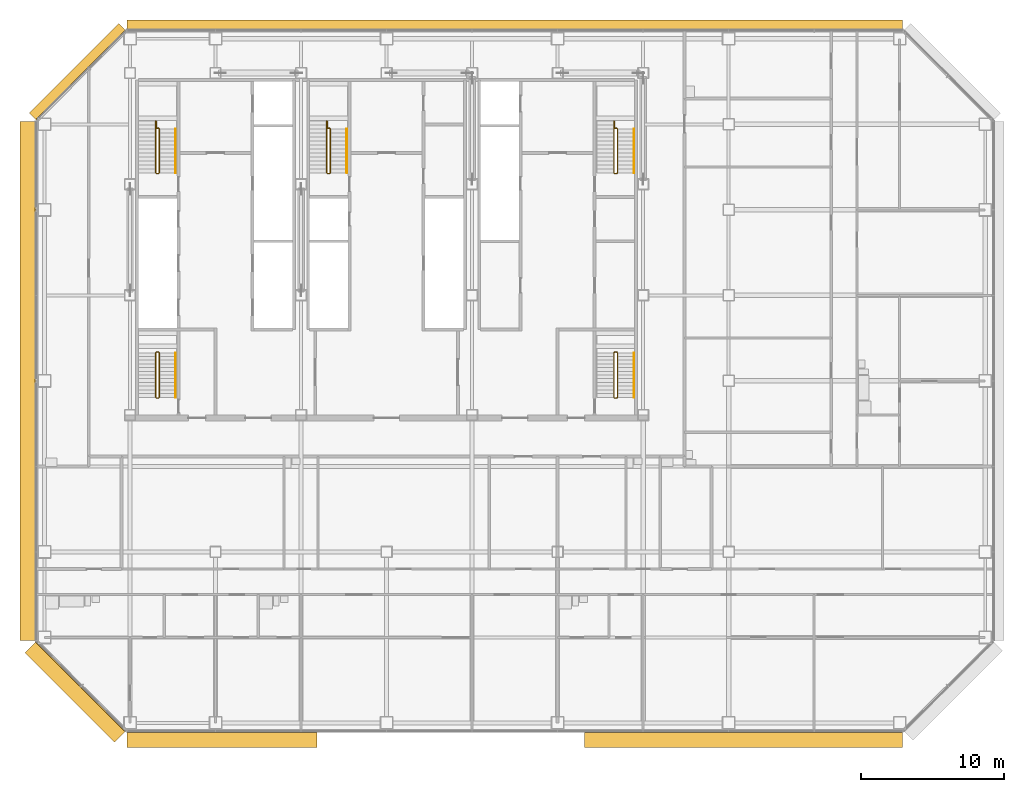
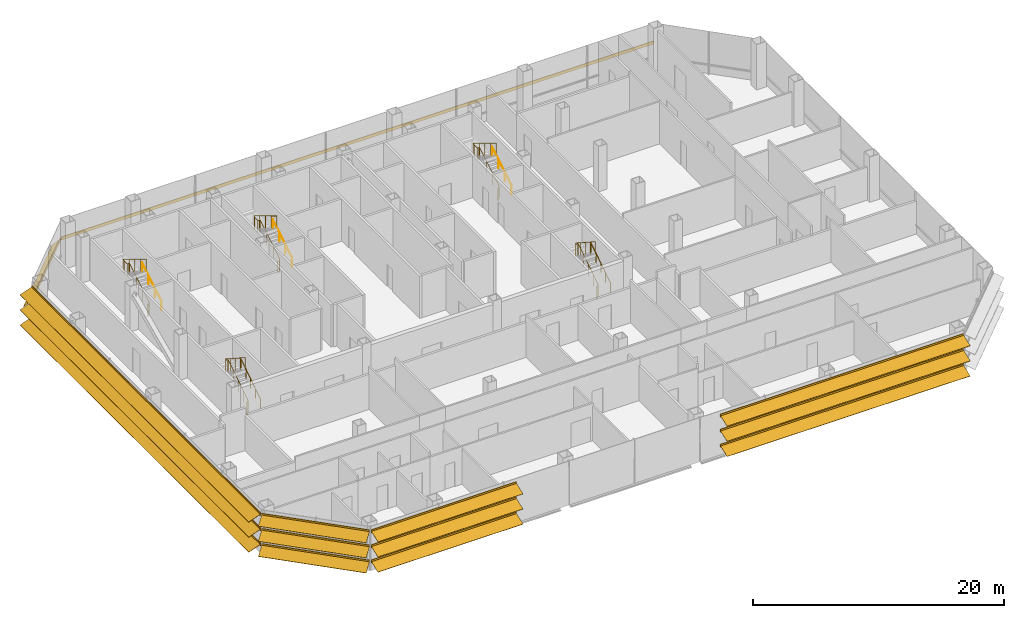
# One storey, part 25 of 27: 10 railings, 6 shading devices.
"""IFC4 building model written with IfcOpenShell, lengths in metres."""

from ifc_helpers import new_model, si_unit, direction, frame, origin, origin_2d, place, context, subcontext, project, spatial, polyline, circle, outline, composite_profile, extrude, material, type_object, element, save


model = new_model("IFC4")

# Units and contexts
model_context = context("Model", 3, precision=1e-05, world=origin(), true_north=direction((0.0, 1.0)))
body_context = subcontext(model_context, "Body", "Model", "MODEL_VIEW")
ifc_project = project(units=[si_unit("LENGTHUNIT", "METRE"), si_unit("AREAUNIT", "SQUARE_METRE"), si_unit("VOLUMEUNIT", "CUBIC_METRE"), si_unit("PLANEANGLEUNIT", "RADIAN"), si_unit("MASSUNIT", "GRAM", prefix="KILO")], contexts=[model_context])

# Site, building, storey
site_placement = place(None, origin())
site = spatial("IfcSite", under=ifc_project, at=site_placement, CompositionType="ELEMENT")
building_placement = place(site_placement, origin())
building = spatial("IfcBuilding", under=site, at=building_placement, Name="Sorahane Residences", CompositionType="ELEMENT")
storey_placement = place(building_placement, frame((0.0, 0.0, 85.800048828125)))
storey = spatial("IfcBuildingStorey", under=building, at=storey_placement, Name="L18", CompositionType="ELEMENT", Elevation=85.800048828125)

# Shading devices
ifc_material_1 = material(Name="Terracotta anodised aluminium", Category="masonry")
shading_device_type_1 = type_object("IfcShadingDeviceType", Name="Louvre sunshade blade N terracotta aluminium 700", PredefinedType="JALOUSIE", material=ifc_material_1)
shading_device_1_placement = place(storey_placement, frame((60.198486328125, 48.60009765625, 2.199951171875), z_axis=(-1.0, 0.0, 0.0), x_axis=(0.0, -1.0, 0.0)))
element("IfcShadingDevice", 1, at=shading_device_1_placement, inside=storey, type_object=shading_device_type_1, Name="Louvre sunshade blade bank N L18 N1", PredefinedType="JALOUSIE", context=body_context, shape_type="SweptSolid", body=[
    extrude(outline(polyline([(-0.719970703125, -0.660888671875), (-0.719970703125, -0.69091796875), (-0.080078125, -0.072998046875), (-0.080078125, -0.14990234375), (-0.02001953125, -0.14990234375), (-0.02001953125, -0.014892578125), (-0.02001953125, 0.014892578125), (-0.02001953125, 0.14990234375), (-0.080078125, 0.14990234375), (-0.080078125, -0.04296875), (-0.719970703125, -0.660888671875)])), origin(), (0.0, 0.0, 1.0), 54.39697265625),
])
ifc_material_2 = material(Name="Terracotta anodised aluminium", Category="masonry")
shading_device_type_2 = type_object("IfcShadingDeviceType", Name="Louvre sunshade blade NW terracotta aluminium 700", PredefinedType="JALOUSIE", material=ifc_material_2)
shading_device_2_placement = place(storey_placement, frame((5.716064453125, 48.564697265625, 2.199951171875), z_axis=(-0.707106781187, -0.707106781187, 0.0), x_axis=(0.707106781187, -0.707106781187, 0.0)))
element("IfcShadingDevice", 2, at=shading_device_2_placement, inside=storey, type_object=shading_device_type_2, Name="Louvre sunshade blade bank NW L18 NW1", PredefinedType="JALOUSIE", context=body_context, shape_type="SweptSolid", body=[
    extrude(outline(polyline([(-0.719970703125, -0.660888671875), (-0.719970703125, -0.69091796875), (-0.080078125, -0.072998046875), (-0.080078125, -0.14990234375), (-0.02001953125, -0.14990234375), (-0.02001953125, -0.014892578125), (-0.02001953125, 0.014892578125), (-0.02001953125, 0.14990234375), (-0.080078125, 0.14990234375), (-0.080078125, -0.04296875), (-0.719970703125, -0.660888671875)])), origin(), (0.0, 0.0, 1.0), 8.88232421875),
])
ifc_material_3 = material(Name="Terracotta anodised aluminium", Category="masonry")
shading_device_type_3 = type_object("IfcShadingDeviceType", Name="Louvre sunshade blade S terracotta aluminium 1100", PredefinedType="JALOUSIE", material=ifc_material_3)
shading_device_3_placement = place(storey_placement, frame((5.801513671875, -0.60009765625, 0.7333984375), z_axis=(1.0, 0.0, 0.0), x_axis=(0.0, 1.0, 0.0)))
element("IfcShadingDevice", 3, at=shading_device_3_placement, inside=storey, type_object=shading_device_type_3, Name="Louvre sunshade blade bank S L18 S1", PredefinedType="JALOUSIE", context=body_context, shape_type="SweptSolid", body=[
    extrude(composite_profile([outline(polyline([(-1.1201171875, -0.385498046875), (-1.1201171875, -0.415283203125), (-0.080078125, -0.036865234375), (-0.080078125, -0.14990234375), (-0.02001953125, -0.14990234375), (-0.02001953125, -0.014892578125), (-0.02001953125, 0.014892578125), (-0.02001953125, 0.14990234375), (-0.080078125, 0.14990234375), (-0.080078125, -0.0068359375), (-1.1201171875, -0.385498046875)])), outline(polyline([(-1.1201171875, 1.081298828125), (-1.1201171875, 1.05126953125), (-0.080078125, 1.429931640625), (-0.080078125, 1.316650390625), (-0.02001953125, 1.316650390625), (-0.02001953125, 1.45166015625), (-0.02001953125, 1.481689453125), (-0.02001953125, 1.61669921875), (-0.080078125, 1.61669921875), (-0.080078125, 1.4599609375), (-1.1201171875, 1.081298828125)])), outline(polyline([(-1.1201171875, 2.5478515625), (-1.1201171875, 2.517822265625), (-0.080078125, 2.896484375), (-0.080078125, 2.783203125), (-0.02001953125, 2.783203125), (-0.02001953125, 2.918212890625), (-0.02001953125, 2.9482421875), (-0.02001953125, 3.083251953125), (-0.080078125, 3.083251953125), (-0.080078125, 2.926513671875), (-1.1201171875, 2.5478515625)]))]), origin(), (0.0, 0.0, 1.0), 13.3291015625),
])
shading_device_4_placement = place(storey_placement, frame((37.869384765625, -0.60009765625, 0.7333984375), z_axis=(1.0, 0.0, 0.0), x_axis=(0.0, 1.0, 0.0)))
element("IfcShadingDevice", 4, at=shading_device_4_placement, inside=storey, type_object=shading_device_type_3, Name="Louvre sunshade blade bank S L18 S1 part 2", PredefinedType="JALOUSIE", context=body_context, shape_type="SweptSolid", body=[
    extrude(composite_profile([outline(polyline([(-1.1201171875, -0.385498046875), (-1.1201171875, -0.415283203125), (-0.080078125, -0.036865234375), (-0.080078125, -0.14990234375), (-0.02001953125, -0.14990234375), (-0.02001953125, -0.014892578125), (-0.02001953125, 0.014892578125), (-0.02001953125, 0.14990234375), (-0.080078125, 0.14990234375), (-0.080078125, -0.0068359375), (-1.1201171875, -0.385498046875)])), outline(polyline([(-1.1201171875, 1.081298828125), (-1.1201171875, 1.05126953125), (-0.080078125, 1.429931640625), (-0.080078125, 1.316650390625), (-0.02001953125, 1.316650390625), (-0.02001953125, 1.45166015625), (-0.02001953125, 1.481689453125), (-0.02001953125, 1.61669921875), (-0.080078125, 1.61669921875), (-0.080078125, 1.4599609375), (-1.1201171875, 1.081298828125)])), outline(polyline([(-1.1201171875, 2.5478515625), (-1.1201171875, 2.517822265625), (-0.080078125, 2.896484375), (-0.080078125, 2.783203125), (-0.02001953125, 2.783203125), (-0.02001953125, 2.918212890625), (-0.02001953125, 2.9482421875), (-0.02001953125, 3.083251953125), (-0.080078125, 3.083251953125), (-0.080078125, 2.926513671875), (-1.1201171875, 2.5478515625)]))]), origin(), (0.0, 0.0, 1.0), 22.3291015625),
])
ifc_material_4 = material(Name="Terracotta anodised aluminium", Category="masonry")
shading_device_type_4 = type_object("IfcShadingDeviceType", Name="Louvre sunshade blade SW terracotta aluminium 1100", PredefinedType="JALOUSIE", material=ifc_material_4)
shading_device_5_placement = place(storey_placement, frame((-0.564697265625, 5.716064453125, 0.7333984375), z_axis=(0.707106781187, -0.707106781187, 0.0), x_axis=(0.707106781187, 0.707106781187, 0.0)))
element("IfcShadingDevice", 5, at=shading_device_5_placement, inside=storey, type_object=shading_device_type_4, Name="Louvre sunshade blade bank SW L18 SW1", PredefinedType="JALOUSIE", context=body_context, shape_type="SweptSolid", body=[
    extrude(composite_profile([outline(polyline([(-1.1201171875, -0.385498046875), (-1.1201171875, -0.415283203125), (-0.080078125, -0.036865234375), (-0.080078125, -0.14990234375), (-0.02001953125, -0.14990234375), (-0.02001953125, -0.014892578125), (-0.02001953125, 0.014892578125), (-0.02001953125, 0.14990234375), (-0.080078125, 0.14990234375), (-0.080078125, -0.0068359375), (-1.1201171875, -0.385498046875)])), outline(polyline([(-1.1201171875, 1.081298828125), (-1.1201171875, 1.05126953125), (-0.080078125, 1.429931640625), (-0.080078125, 1.316650390625), (-0.02001953125, 1.316650390625), (-0.02001953125, 1.45166015625), (-0.02001953125, 1.481689453125), (-0.02001953125, 1.61669921875), (-0.080078125, 1.61669921875), (-0.080078125, 1.4599609375), (-1.1201171875, 1.081298828125)])), outline(polyline([(-1.1201171875, 2.5478515625), (-1.1201171875, 2.517822265625), (-0.080078125, 2.896484375), (-0.080078125, 2.783203125), (-0.02001953125, 2.783203125), (-0.02001953125, 2.918212890625), (-0.02001953125, 2.9482421875), (-0.02001953125, 3.083251953125), (-0.080078125, 3.083251953125), (-0.080078125, 2.926513671875), (-1.1201171875, 2.5478515625)]))]), origin(), (0.0, 0.0, 1.0), 8.88232421875),
])
ifc_material_5 = material(Name="Terracotta anodised aluminium", Category="masonry")
shading_device_type_5 = type_object("IfcShadingDeviceType", Name="Louvre sunshade blade W terracotta aluminium 1100", PredefinedType="JALOUSIE", material=ifc_material_5)
shading_device_6_placement = place(storey_placement, frame((-0.60009765625, 42.198486328125, 0.7333984375), z_axis=(0.0, -1.0, 0.0), x_axis=(1.0, 0.0, 0.0)))
element("IfcShadingDevice", 6, at=shading_device_6_placement, inside=storey, type_object=shading_device_type_5, Name="Louvre sunshade blade bank W L18 W1", PredefinedType="JALOUSIE", context=body_context, shape_type="SweptSolid", body=[
    extrude(composite_profile([outline(polyline([(-1.1201171875, -0.385498046875), (-1.1201171875, -0.415283203125), (-0.080078125, -0.036865234375), (-0.080078125, -0.14990234375), (-0.02001953125, -0.14990234375), (-0.02001953125, -0.014892578125), (-0.02001953125, 0.014892578125), (-0.02001953125, 0.14990234375), (-0.080078125, 0.14990234375), (-0.080078125, -0.0068359375), (-1.1201171875, -0.385498046875)])), outline(polyline([(-1.1201171875, 1.081298828125), (-1.1201171875, 1.05126953125), (-0.080078125, 1.429931640625), (-0.080078125, 1.316650390625), (-0.02001953125, 1.316650390625), (-0.02001953125, 1.45166015625), (-0.02001953125, 1.481689453125), (-0.02001953125, 1.61669921875), (-0.080078125, 1.61669921875), (-0.080078125, 1.4599609375), (-1.1201171875, 1.081298828125)])), outline(polyline([(-1.1201171875, 2.5478515625), (-1.1201171875, 2.517822265625), (-0.080078125, 2.896484375), (-0.080078125, 2.783203125), (-0.02001953125, 2.783203125), (-0.02001953125, 2.918212890625), (-0.02001953125, 2.9482421875), (-0.02001953125, 3.083251953125), (-0.080078125, 3.083251953125), (-0.080078125, 2.926513671875), (-1.1201171875, 2.5478515625)]))]), origin(), (0.0, 0.0, 1.0), 36.39697265625),
])

# Railings
ifc_material_6 = material(Name="Steel Q355B", Category="steel")
railing_type_1 = type_object("IfcRailingType", Name="Stair guard 1200 Steel Q355B", PredefinedType="GUARDRAIL", material=ifc_material_6)
railing_1_placement = place(storey_placement, frame((7.85009765625, 38.550048828125, 0.0)))
element("IfcRailing", 7, at=railing_1_placement, inside=storey, type_object=railing_type_1, Name="L18 S1 stair guard 1", PredefinedType="GUARDRAIL", context=body_context, shape_type="SweptSolid", body=[
    extrude(circle(Radius=0.02392578125, at=origin_2d()), frame((0.0, 0.0, 1.17578125), z_axis=(1.0, 0.0, 0.0), x_axis=(0.0, 1.0, 0.0)), (0.0, 0.0, 1.0), 0.14990234375),
    extrude(circle(Radius=0.02392578125, at=origin_2d()), frame((0.14990234375, 0.0, 1.17578125), z_axis=(0.272897288611, 0.272897288611, 0.922525956132), x_axis=(-0.707106781187, 0.707106781187, 0.0)), (0.0, 0.0, 1.0), 0.183349609375),
    extrude(circle(Radius=0.02392578125, at=origin_2d()), frame((0.199951171875, 0.050048828125, 1.34521484375), z_axis=(0.0, 0.855812307579, 0.51728647208), x_axis=(-1.0, 0.0, 0.0)), (0.0, 0.0, 1.0), 3.5986328125),
    extrude(circle(Radius=0.02392578125, at=origin_2d()), frame((0.199951171875, 3.1298828125, 3.20654296875), z_axis=(-0.707106781187, 0.707106781187, 0.0), x_axis=(-0.707106781187, -0.707106781187, 0.0)), (0.0, 0.0, 1.0), 0.07080078125),
    extrude(circle(Radius=0.02392578125, at=origin_2d()), frame((0.14990234375, 3.179931640625, 3.20654296875), z_axis=(-1.0, 0.0, 0.0), x_axis=(0.0, -1.0, 0.0)), (0.0, 0.0, 1.0), 0.14990234375),
    extrude(circle(Radius=0.02392578125, at=origin_2d()), frame((0.0, 3.179931640625, 3.20654296875), z_axis=(0.0, 1.0, 0.0), x_axis=(-1.0, 0.0, 0.0)), (0.0, 0.0, 1.0), 0.4599609375),
    extrude(circle(Radius=0.02392578125, at=origin_2d()), frame((0.0, 3.639892578125, 3.20654296875), z_axis=(-0.272897288611, 0.272897288611, 0.922525956132), x_axis=(-0.707106781187, -0.707106781187, 0.0)), (0.0, 0.0, 1.0), 0.183349609375),
    extrude(circle(Radius=0.02392578125, at=origin_2d()), frame((-0.050048828125, 3.68994140625, 3.3759765625), z_axis=(0.0, -0.855827133697, 0.517261942568), x_axis=(1.0, 0.0, 0.0)), (0.0, 0.0, 1.0), 4.253173828125),
    extrude(circle(Radius=0.02099609375, at=origin_2d()), origin(), (0.0, 0.0, 1.0), 1.15185546875),
    extrude(circle(Radius=0.02099609375, at=origin_2d()), frame((0.14990234375, 0.0, 0.0)), (0.0, 0.0, 1.0), 1.15185546875),
    extrude(circle(Radius=0.02099609375, at=origin_2d()), frame((0.199951171875, 0.050048828125, 0.169189453125)), (0.0, 0.0, 1.0), 1.15185546875),
    extrude(circle(Radius=0.02099609375, at=origin_2d()), frame((0.199951171875, 1.07666015625, 0.789794921875)), (0.0, 0.0, 1.0), 1.15185546875),
    extrude(circle(Radius=0.02099609375, at=origin_2d()), frame((0.199951171875, 2.103271484375, 1.41015625)), (0.0, 0.0, 1.0), 1.15185546875),
    extrude(circle(Radius=0.02099609375, at=origin_2d()), frame((0.199951171875, 3.1298828125, 2.03076171875)), (0.0, 0.0, 1.0), 1.15185546875),
    extrude(circle(Radius=0.02099609375, at=origin_2d()), frame((0.14990234375, 3.179931640625, 2.03076171875)), (0.0, 0.0, 1.0), 1.15185546875),
    extrude(circle(Radius=0.02099609375, at=origin_2d()), frame((0.0, 3.179931640625, 2.03076171875)), (0.0, 0.0, 1.0), 1.15185546875),
    extrude(circle(Radius=0.02099609375, at=origin_2d()), frame((0.0, 3.639892578125, 2.03076171875)), (0.0, 0.0, 1.0), 1.15185546875),
    extrude(circle(Radius=0.02099609375, at=origin_2d()), frame((-0.050048828125, 3.68994140625, 2.199951171875)), (0.0, 0.0, 1.0), 1.15185546875),
    extrude(circle(Radius=0.02099609375, at=origin_2d()), frame((-0.050048828125, 2.780029296875, 2.75)), (0.0, 0.0, 1.0), 1.15185546875),
    extrude(circle(Radius=0.02099609375, at=origin_2d()), frame((-0.050048828125, 1.8701171875, 3.2998046875)), (0.0, 0.0, 1.0), 1.15185546875),
    extrude(circle(Radius=0.02099609375, at=origin_2d()), frame((-0.050048828125, 0.9599609375, 3.849853515625)), (0.0, 0.0, 1.0), 1.15185546875),
    extrude(circle(Radius=0.02099609375, at=origin_2d()), frame((-0.050048828125, 0.050048828125, 4.39990234375)), (0.0, 0.0, 1.0), 1.15185546875),
])
railing_2_placement = place(storey_placement, frame((40.0, 38.550048828125, 0.0)))
element("IfcRailing", 8, at=railing_2_placement, inside=storey, type_object=railing_type_1, Name="L18 S2 stair guard 1", PredefinedType="GUARDRAIL", context=body_context, shape_type="SweptSolid", body=[
    extrude(circle(Radius=0.02392578125, at=origin_2d()), frame((0.0, 0.0, 1.17578125), z_axis=(1.0, 0.0, 0.0), x_axis=(0.0, 1.0, 0.0)), (0.0, 0.0, 1.0), 0.14990234375),
    extrude(circle(Radius=0.02392578125, at=origin_2d()), frame((0.14990234375, 0.0, 1.17578125), z_axis=(0.272897288611, 0.272897288611, 0.922525956132), x_axis=(-0.707106781187, 0.707106781187, 0.0)), (0.0, 0.0, 1.0), 0.183349609375),
    extrude(circle(Radius=0.02392578125, at=origin_2d()), frame((0.199951171875, 0.050048828125, 1.34521484375), z_axis=(0.0, 0.855812307579, 0.51728647208), x_axis=(-1.0, 0.0, 0.0)), (0.0, 0.0, 1.0), 3.5986328125),
    extrude(circle(Radius=0.02392578125, at=origin_2d()), frame((0.199951171875, 3.1298828125, 3.20654296875), z_axis=(-0.707106781187, 0.707106781187, 0.0), x_axis=(-0.707106781187, -0.707106781187, 0.0)), (0.0, 0.0, 1.0), 0.07080078125),
    extrude(circle(Radius=0.02392578125, at=origin_2d()), frame((0.14990234375, 3.179931640625, 3.20654296875), z_axis=(-1.0, 0.0, 0.0), x_axis=(0.0, -1.0, 0.0)), (0.0, 0.0, 1.0), 0.14990234375),
    extrude(circle(Radius=0.02392578125, at=origin_2d()), frame((0.0, 3.179931640625, 3.20654296875), z_axis=(0.0, 1.0, 0.0), x_axis=(-1.0, 0.0, 0.0)), (0.0, 0.0, 1.0), 0.4599609375),
    extrude(circle(Radius=0.02392578125, at=origin_2d()), frame((0.0, 3.639892578125, 3.20654296875), z_axis=(-0.272897288611, 0.272897288611, 0.922525956132), x_axis=(-0.707106781187, -0.707106781187, 0.0)), (0.0, 0.0, 1.0), 0.183349609375),
    extrude(circle(Radius=0.02392578125, at=origin_2d()), frame((-0.050048828125, 3.68994140625, 3.3759765625), z_axis=(0.0, -0.855827133697, 0.517261942568), x_axis=(1.0, 0.0, 0.0)), (0.0, 0.0, 1.0), 4.253173828125),
    extrude(circle(Radius=0.02099609375, at=origin_2d()), origin(), (0.0, 0.0, 1.0), 1.15185546875),
    extrude(circle(Radius=0.02099609375, at=origin_2d()), frame((0.14990234375, 0.0, 0.0)), (0.0, 0.0, 1.0), 1.15185546875),
    extrude(circle(Radius=0.02099609375, at=origin_2d()), frame((0.199951171875, 0.050048828125, 0.169189453125)), (0.0, 0.0, 1.0), 1.15185546875),
    extrude(circle(Radius=0.02099609375, at=origin_2d()), frame((0.199951171875, 1.07666015625, 0.789794921875)), (0.0, 0.0, 1.0), 1.15185546875),
    extrude(circle(Radius=0.02099609375, at=origin_2d()), frame((0.199951171875, 2.103271484375, 1.41015625)), (0.0, 0.0, 1.0), 1.15185546875),
    extrude(circle(Radius=0.02099609375, at=origin_2d()), frame((0.199951171875, 3.1298828125, 2.03076171875)), (0.0, 0.0, 1.0), 1.15185546875),
    extrude(circle(Radius=0.02099609375, at=origin_2d()), frame((0.14990234375, 3.179931640625, 2.03076171875)), (0.0, 0.0, 1.0), 1.15185546875),
    extrude(circle(Radius=0.02099609375, at=origin_2d()), frame((0.0, 3.179931640625, 2.03076171875)), (0.0, 0.0, 1.0), 1.15185546875),
    extrude(circle(Radius=0.02099609375, at=origin_2d()), frame((0.0, 3.639892578125, 2.03076171875)), (0.0, 0.0, 1.0), 1.15185546875),
    extrude(circle(Radius=0.02099609375, at=origin_2d()), frame((-0.050048828125, 3.68994140625, 2.199951171875)), (0.0, 0.0, 1.0), 1.15185546875),
    extrude(circle(Radius=0.02099609375, at=origin_2d()), frame((-0.050048828125, 2.780029296875, 2.75)), (0.0, 0.0, 1.0), 1.15185546875),
    extrude(circle(Radius=0.02099609375, at=origin_2d()), frame((-0.050048828125, 1.8701171875, 3.2998046875)), (0.0, 0.0, 1.0), 1.15185546875),
    extrude(circle(Radius=0.02099609375, at=origin_2d()), frame((-0.050048828125, 0.9599609375, 3.849853515625)), (0.0, 0.0, 1.0), 1.15185546875),
    extrude(circle(Radius=0.02099609375, at=origin_2d()), frame((-0.050048828125, 0.050048828125, 4.39990234375)), (0.0, 0.0, 1.0), 1.15185546875),
])
railing_3_placement = place(storey_placement, frame((19.85009765625, 38.550048828125, 0.0)))
element("IfcRailing", 9, at=railing_3_placement, inside=storey, type_object=railing_type_1, Name="L18 S3 stair guard 1", PredefinedType="GUARDRAIL", context=body_context, shape_type="SweptSolid", body=[
    extrude(circle(Radius=0.02392578125, at=origin_2d()), frame((0.0, 0.0, 1.17578125), z_axis=(1.0, 0.0, 0.0), x_axis=(0.0, 1.0, 0.0)), (0.0, 0.0, 1.0), 0.14990234375),
    extrude(circle(Radius=0.02392578125, at=origin_2d()), frame((0.14990234375, 0.0, 1.17578125), z_axis=(0.272897288611, 0.272897288611, 0.922525956132), x_axis=(-0.707106781187, 0.707106781187, 0.0)), (0.0, 0.0, 1.0), 0.183349609375),
    extrude(circle(Radius=0.02392578125, at=origin_2d()), frame((0.199951171875, 0.050048828125, 1.34521484375), z_axis=(0.0, 0.855812307579, 0.51728647208), x_axis=(-1.0, 0.0, 0.0)), (0.0, 0.0, 1.0), 3.5986328125),
    extrude(circle(Radius=0.02392578125, at=origin_2d()), frame((0.199951171875, 3.1298828125, 3.20654296875), z_axis=(-0.707106781187, 0.707106781187, 0.0), x_axis=(-0.707106781187, -0.707106781187, 0.0)), (0.0, 0.0, 1.0), 0.07080078125),
    extrude(circle(Radius=0.02392578125, at=origin_2d()), frame((0.14990234375, 3.179931640625, 3.20654296875), z_axis=(-1.0, 0.0, 0.0), x_axis=(0.0, -1.0, 0.0)), (0.0, 0.0, 1.0), 0.14990234375),
    extrude(circle(Radius=0.02392578125, at=origin_2d()), frame((0.0, 3.179931640625, 3.20654296875), z_axis=(0.0, 1.0, 0.0), x_axis=(-1.0, 0.0, 0.0)), (0.0, 0.0, 1.0), 0.4599609375),
    extrude(circle(Radius=0.02392578125, at=origin_2d()), frame((0.0, 3.639892578125, 3.20654296875), z_axis=(-0.272897288611, 0.272897288611, 0.922525956132), x_axis=(-0.707106781187, -0.707106781187, 0.0)), (0.0, 0.0, 1.0), 0.183349609375),
    extrude(circle(Radius=0.02392578125, at=origin_2d()), frame((-0.050048828125, 3.68994140625, 3.3759765625), z_axis=(0.0, -0.855827133697, 0.517261942568), x_axis=(1.0, 0.0, 0.0)), (0.0, 0.0, 1.0), 4.253173828125),
    extrude(circle(Radius=0.02099609375, at=origin_2d()), origin(), (0.0, 0.0, 1.0), 1.15185546875),
    extrude(circle(Radius=0.02099609375, at=origin_2d()), frame((0.14990234375, 0.0, 0.0)), (0.0, 0.0, 1.0), 1.15185546875),
    extrude(circle(Radius=0.02099609375, at=origin_2d()), frame((0.199951171875, 0.050048828125, 0.169189453125)), (0.0, 0.0, 1.0), 1.15185546875),
    extrude(circle(Radius=0.02099609375, at=origin_2d()), frame((0.199951171875, 1.07666015625, 0.789794921875)), (0.0, 0.0, 1.0), 1.15185546875),
    extrude(circle(Radius=0.02099609375, at=origin_2d()), frame((0.199951171875, 2.103271484375, 1.41015625)), (0.0, 0.0, 1.0), 1.15185546875),
    extrude(circle(Radius=0.02099609375, at=origin_2d()), frame((0.199951171875, 3.1298828125, 2.03076171875)), (0.0, 0.0, 1.0), 1.15185546875),
    extrude(circle(Radius=0.02099609375, at=origin_2d()), frame((0.14990234375, 3.179931640625, 2.03076171875)), (0.0, 0.0, 1.0), 1.15185546875),
    extrude(circle(Radius=0.02099609375, at=origin_2d()), frame((0.0, 3.179931640625, 2.03076171875)), (0.0, 0.0, 1.0), 1.15185546875),
    extrude(circle(Radius=0.02099609375, at=origin_2d()), frame((0.0, 3.639892578125, 2.03076171875)), (0.0, 0.0, 1.0), 1.15185546875),
    extrude(circle(Radius=0.02099609375, at=origin_2d()), frame((-0.050048828125, 3.68994140625, 2.199951171875)), (0.0, 0.0, 1.0), 1.15185546875),
    extrude(circle(Radius=0.02099609375, at=origin_2d()), frame((-0.050048828125, 2.780029296875, 2.75)), (0.0, 0.0, 1.0), 1.15185546875),
    extrude(circle(Radius=0.02099609375, at=origin_2d()), frame((-0.050048828125, 1.8701171875, 3.2998046875)), (0.0, 0.0, 1.0), 1.15185546875),
    extrude(circle(Radius=0.02099609375, at=origin_2d()), frame((-0.050048828125, 0.9599609375, 3.849853515625)), (0.0, 0.0, 1.0), 1.15185546875),
    extrude(circle(Radius=0.02099609375, at=origin_2d()), frame((-0.050048828125, 0.050048828125, 4.39990234375)), (0.0, 0.0, 1.0), 1.15185546875),
])
railing_4_placement = place(storey_placement, frame((7.85009765625, 22.800048828125, 0.0)))
element("IfcRailing", 10, at=railing_4_placement, inside=storey, type_object=railing_type_1, Name="L18 S4 stair guard 1", PredefinedType="GUARDRAIL", context=body_context, shape_type="SweptSolid", body=[
    extrude(circle(Radius=0.02392578125, at=origin_2d()), frame((0.0, 0.0, 1.17578125), z_axis=(1.0, 0.0, 0.0), x_axis=(0.0, 1.0, 0.0)), (0.0, 0.0, 1.0), 0.14990234375),
    extrude(circle(Radius=0.02392578125, at=origin_2d()), frame((0.14990234375, 0.0, 1.17578125), z_axis=(0.272897288611, 0.272897288611, 0.922525956132), x_axis=(-0.707106781187, 0.707106781187, 0.0)), (0.0, 0.0, 1.0), 0.183349609375),
    extrude(circle(Radius=0.02392578125, at=origin_2d()), frame((0.199951171875, 0.050048828125, 1.34521484375), z_axis=(0.0, 0.838094317583, 0.54552535673), x_axis=(-1.0, 0.0, 0.0)), (0.0, 0.0, 1.0), 3.72265625),
    extrude(circle(Radius=0.02392578125, at=origin_2d()), frame((0.199951171875, 3.169921875, 3.3759765625), z_axis=(-0.707106781187, 0.707106781187, 0.0), x_axis=(-0.707106781187, -0.707106781187, 0.0)), (0.0, 0.0, 1.0), 0.07080078125),
    extrude(circle(Radius=0.02392578125, at=origin_2d()), frame((0.14990234375, 3.219970703125, 3.3759765625), z_axis=(-1.0, 0.0, 0.0), x_axis=(0.0, -1.0, 0.0)), (0.0, 0.0, 1.0), 0.14990234375),
    extrude(circle(Radius=0.02392578125, at=origin_2d()), frame((0.0, 3.219970703125, 3.3759765625), z_axis=(-0.272897288611, -0.272897288611, 0.922525956132), x_axis=(0.707106781187, -0.707106781187, 0.0)), (0.0, 0.0, 1.0), 0.183349609375),
    extrude(circle(Radius=0.02392578125, at=origin_2d()), frame((-0.050048828125, 3.169921875, 3.544921875), z_axis=(0.0, -0.838094317583, 0.54552535673), x_axis=(1.0, 0.0, 0.0)), (0.0, 0.0, 1.0), 3.72265625),
    extrude(circle(Radius=0.02099609375, at=origin_2d()), origin(), (0.0, 0.0, 1.0), 1.15185546875),
    extrude(circle(Radius=0.02099609375, at=origin_2d()), frame((0.14990234375, 0.0, 0.0)), (0.0, 0.0, 1.0), 1.15185546875),
    extrude(circle(Radius=0.02099609375, at=origin_2d()), frame((0.199951171875, 0.050048828125, 0.169189453125)), (0.0, 0.0, 1.0), 1.15185546875),
    extrude(circle(Radius=0.02099609375, at=origin_2d()), frame((0.199951171875, 0.830078125, 0.6767578125)), (0.0, 0.0, 1.0), 1.15185546875),
    extrude(circle(Radius=0.02099609375, at=origin_2d()), frame((0.199951171875, 1.60986328125, 1.1845703125)), (0.0, 0.0, 1.0), 1.15185546875),
    extrude(circle(Radius=0.02099609375, at=origin_2d()), frame((0.199951171875, 2.389892578125, 1.6923828125)), (0.0, 0.0, 1.0), 1.15185546875),
    extrude(circle(Radius=0.02099609375, at=origin_2d()), frame((0.199951171875, 3.169921875, 2.199951171875)), (0.0, 0.0, 1.0), 1.15185546875),
    extrude(circle(Radius=0.02099609375, at=origin_2d()), frame((0.14990234375, 3.219970703125, 2.199951171875)), (0.0, 0.0, 1.0), 1.15185546875),
    extrude(circle(Radius=0.02099609375, at=origin_2d()), frame((0.0, 3.219970703125, 2.199951171875)), (0.0, 0.0, 1.0), 1.15185546875),
    extrude(circle(Radius=0.02099609375, at=origin_2d()), frame((-0.050048828125, 3.169921875, 2.369140625)), (0.0, 0.0, 1.0), 1.15185546875),
    extrude(circle(Radius=0.02099609375, at=origin_2d()), frame((-0.050048828125, 2.389892578125, 2.876953125)), (0.0, 0.0, 1.0), 1.15185546875),
    extrude(circle(Radius=0.02099609375, at=origin_2d()), frame((-0.050048828125, 1.60986328125, 3.384521484375)), (0.0, 0.0, 1.0), 1.15185546875),
    extrude(circle(Radius=0.02099609375, at=origin_2d()), frame((-0.050048828125, 0.830078125, 3.89208984375)), (0.0, 0.0, 1.0), 1.15185546875),
    extrude(circle(Radius=0.02099609375, at=origin_2d()), frame((-0.050048828125, 0.050048828125, 4.39990234375)), (0.0, 0.0, 1.0), 1.15185546875),
])
railing_5_placement = place(storey_placement, frame((40.0, 22.800048828125, 0.0)))
element("IfcRailing", 11, at=railing_5_placement, inside=storey, type_object=railing_type_1, Name="L18 S5 stair guard 1", PredefinedType="GUARDRAIL", context=body_context, shape_type="SweptSolid", body=[
    extrude(circle(Radius=0.02392578125, at=origin_2d()), frame((0.0, 0.0, 1.17578125), z_axis=(1.0, 0.0, 0.0), x_axis=(0.0, 1.0, 0.0)), (0.0, 0.0, 1.0), 0.14990234375),
    extrude(circle(Radius=0.02392578125, at=origin_2d()), frame((0.14990234375, 0.0, 1.17578125), z_axis=(0.272897288611, 0.272897288611, 0.922525956132), x_axis=(-0.707106781187, 0.707106781187, 0.0)), (0.0, 0.0, 1.0), 0.183349609375),
    extrude(circle(Radius=0.02392578125, at=origin_2d()), frame((0.199951171875, 0.050048828125, 1.34521484375), z_axis=(0.0, 0.838094317583, 0.54552535673), x_axis=(-1.0, 0.0, 0.0)), (0.0, 0.0, 1.0), 3.72265625),
    extrude(circle(Radius=0.02392578125, at=origin_2d()), frame((0.199951171875, 3.169921875, 3.3759765625), z_axis=(-0.707106781187, 0.707106781187, 0.0), x_axis=(-0.707106781187, -0.707106781187, 0.0)), (0.0, 0.0, 1.0), 0.07080078125),
    extrude(circle(Radius=0.02392578125, at=origin_2d()), frame((0.14990234375, 3.219970703125, 3.3759765625), z_axis=(-1.0, 0.0, 0.0), x_axis=(0.0, -1.0, 0.0)), (0.0, 0.0, 1.0), 0.14990234375),
    extrude(circle(Radius=0.02392578125, at=origin_2d()), frame((0.0, 3.219970703125, 3.3759765625), z_axis=(-0.272897288611, -0.272897288611, 0.922525956132), x_axis=(0.707106781187, -0.707106781187, 0.0)), (0.0, 0.0, 1.0), 0.183349609375),
    extrude(circle(Radius=0.02392578125, at=origin_2d()), frame((-0.050048828125, 3.169921875, 3.544921875), z_axis=(0.0, -0.838094317583, 0.54552535673), x_axis=(1.0, 0.0, 0.0)), (0.0, 0.0, 1.0), 3.72265625),
    extrude(circle(Radius=0.02099609375, at=origin_2d()), origin(), (0.0, 0.0, 1.0), 1.15185546875),
    extrude(circle(Radius=0.02099609375, at=origin_2d()), frame((0.14990234375, 0.0, 0.0)), (0.0, 0.0, 1.0), 1.15185546875),
    extrude(circle(Radius=0.02099609375, at=origin_2d()), frame((0.199951171875, 0.050048828125, 0.169189453125)), (0.0, 0.0, 1.0), 1.15185546875),
    extrude(circle(Radius=0.02099609375, at=origin_2d()), frame((0.199951171875, 0.830078125, 0.6767578125)), (0.0, 0.0, 1.0), 1.15185546875),
    extrude(circle(Radius=0.02099609375, at=origin_2d()), frame((0.199951171875, 1.60986328125, 1.1845703125)), (0.0, 0.0, 1.0), 1.15185546875),
    extrude(circle(Radius=0.02099609375, at=origin_2d()), frame((0.199951171875, 2.389892578125, 1.6923828125)), (0.0, 0.0, 1.0), 1.15185546875),
    extrude(circle(Radius=0.02099609375, at=origin_2d()), frame((0.199951171875, 3.169921875, 2.199951171875)), (0.0, 0.0, 1.0), 1.15185546875),
    extrude(circle(Radius=0.02099609375, at=origin_2d()), frame((0.14990234375, 3.219970703125, 2.199951171875)), (0.0, 0.0, 1.0), 1.15185546875),
    extrude(circle(Radius=0.02099609375, at=origin_2d()), frame((0.0, 3.219970703125, 2.199951171875)), (0.0, 0.0, 1.0), 1.15185546875),
    extrude(circle(Radius=0.02099609375, at=origin_2d()), frame((-0.050048828125, 3.169921875, 2.369140625)), (0.0, 0.0, 1.0), 1.15185546875),
    extrude(circle(Radius=0.02099609375, at=origin_2d()), frame((-0.050048828125, 2.389892578125, 2.876953125)), (0.0, 0.0, 1.0), 1.15185546875),
    extrude(circle(Radius=0.02099609375, at=origin_2d()), frame((-0.050048828125, 1.60986328125, 3.384521484375)), (0.0, 0.0, 1.0), 1.15185546875),
    extrude(circle(Radius=0.02099609375, at=origin_2d()), frame((-0.050048828125, 0.830078125, 3.89208984375)), (0.0, 0.0, 1.0), 1.15185546875),
    extrude(circle(Radius=0.02099609375, at=origin_2d()), frame((-0.050048828125, 0.050048828125, 4.39990234375)), (0.0, 0.0, 1.0), 1.15185546875),
])
ifc_material_7 = material(Name="Steel Q355B", Category="steel")
railing_type_2 = type_object("IfcRailingType", Name="Stair handrail 900 Steel Q355B", PredefinedType="HANDRAIL", material=ifc_material_7)
for number, where, name in (
    (12, (9.199951171875, 38.60009765625, 0.169189453125), "L18 S1 stair handrail 1"),
    (13, (41.35009765625, 38.60009765625, 0.169189453125), "L18 S2 stair handrail 1"),
    (14, (21.199951171875, 38.60009765625, 0.169189453125), "L18 S3 stair handrail 1"),
):
    element("IfcRailing", number, at=place(storey_placement, frame(where)), inside=storey, type_object=railing_type_2, Name=name, PredefinedType="HANDRAIL", context=body_context, shape_type="SweptSolid", body=[
        extrude(circle(Radius=0.02392578125, at=origin_2d()), frame((0.0, 0.0, 0.8759765625), z_axis=(0.0, 0.855812307579, 0.51728647208), x_axis=(-1.0, 0.0, 0.0)), (0.0, 0.0, 1.0), 3.5986328125),
        extrude(circle(Radius=0.02099609375, at=origin_2d()), origin(), (0.0, 0.0, 1.0), 0.851806640625),
        extrude(circle(Radius=0.02099609375, at=origin_2d()), frame((0.0, 1.026611328125, 0.62060546875)), (0.0, 0.0, 1.0), 0.851806640625),
        extrude(circle(Radius=0.02099609375, at=origin_2d()), frame((0.0, 2.05322265625, 1.240966796875)), (0.0, 0.0, 1.0), 0.851806640625),
        extrude(circle(Radius=0.02099609375, at=origin_2d()), frame((0.0, 3.079833984375, 1.861572265625)), (0.0, 0.0, 1.0), 0.851806640625),
    ])
for number, where, name in (
    (15, (9.199951171875, 22.85009765625, 0.169189453125), "L18 S4 stair handrail 1"),
    (16, (41.35009765625, 22.85009765625, 0.169189453125), "L18 S5 stair handrail 1"),
):
    element("IfcRailing", number, at=place(storey_placement, frame(where)), inside=storey, type_object=railing_type_2, Name=name, PredefinedType="HANDRAIL", context=body_context, shape_type="SweptSolid", body=[
        extrude(circle(Radius=0.02392578125, at=origin_2d()), frame((0.0, 0.0, 0.8759765625), z_axis=(0.0, 0.838094317583, 0.54552535673), x_axis=(-1.0, 0.0, 0.0)), (0.0, 0.0, 1.0), 3.72265625),
        extrude(circle(Radius=0.02099609375, at=origin_2d()), origin(), (0.0, 0.0, 1.0), 0.851806640625),
        extrude(circle(Radius=0.02099609375, at=origin_2d()), frame((0.0, 0.780029296875, 0.5078125)), (0.0, 0.0, 1.0), 0.851806640625),
        extrude(circle(Radius=0.02099609375, at=origin_2d()), frame((0.0, 1.56005859375, 1.015380859375)), (0.0, 0.0, 1.0), 0.851806640625),
        extrude(circle(Radius=0.02099609375, at=origin_2d()), frame((0.0, 2.33984375, 1.52294921875)), (0.0, 0.0, 1.0), 0.851806640625),
        extrude(circle(Radius=0.02099609375, at=origin_2d()), frame((0.0, 3.119873046875, 2.03076171875)), (0.0, 0.0, 1.0), 0.851806640625),
    ])

save(model, "model.ifc")
